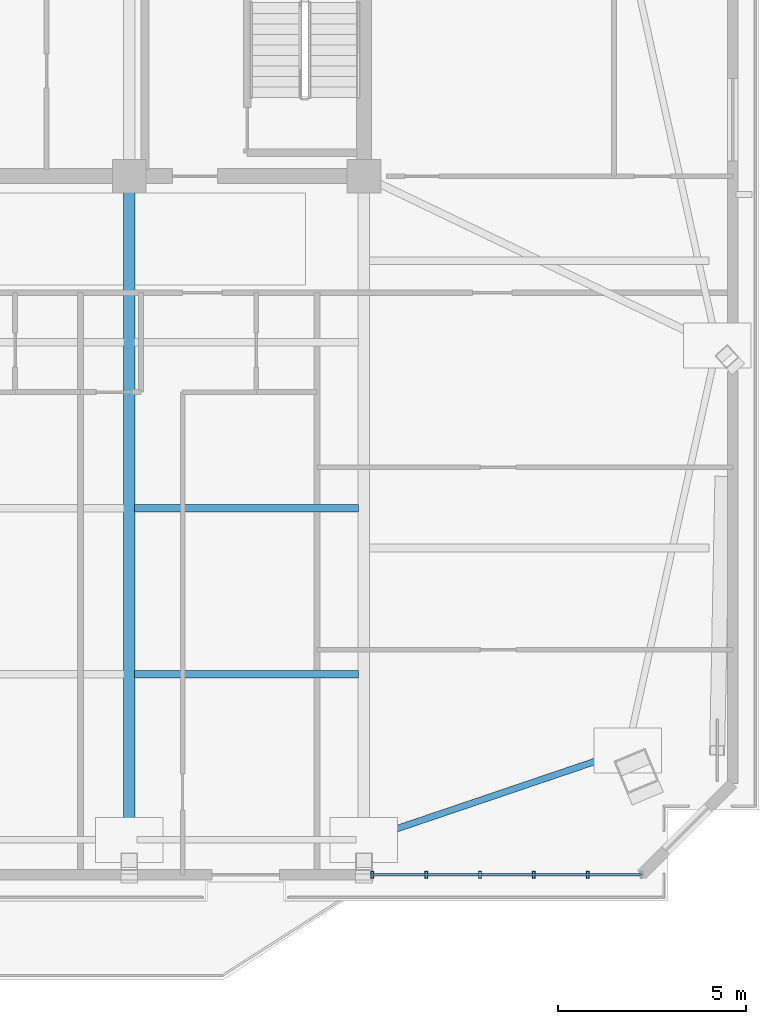
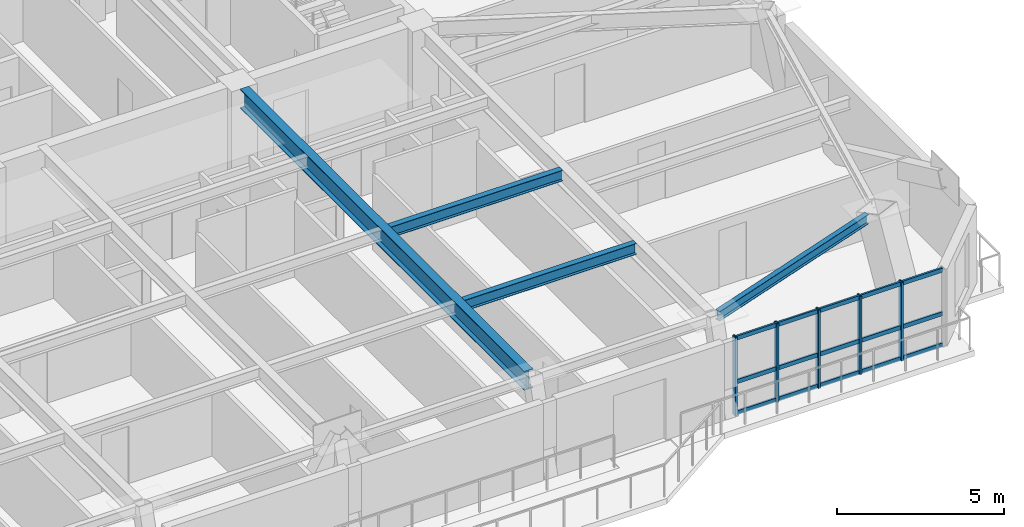
# One storey, part 4 of 15: 8 members, 4 beams, 1 element without a shape of its own.
"""IFC4 building model written with IfcOpenShell, lengths in metres."""

from ifc_helpers import new_model, si_unit, direction, frame, origin, origin_2d, place, context, subcontext, project, spatial, hollow_rectangle, i_section, extrude, source, transform, mapped, material, layer, layer_set, material_profile, profile_set, type_object, element, aggregate, save


model = new_model("IFC4")

# Units and contexts
model_context = context("Model", 3, precision=1e-05, world=origin(), true_north=direction((0.0, 1.0)))
body_context = subcontext(model_context, "Body", "Model", "MODEL_VIEW")
ifc_project = project(units=[si_unit("LENGTHUNIT", "METRE"), si_unit("AREAUNIT", "SQUARE_METRE"), si_unit("VOLUMEUNIT", "CUBIC_METRE"), si_unit("PLANEANGLEUNIT", "RADIAN"), si_unit("MASSUNIT", "GRAM", prefix="KILO")], contexts=[model_context])

# Site, building, storey
site_placement = place(None, origin())
site = spatial("IfcSite", under=ifc_project, at=site_placement, CompositionType="ELEMENT")
building_placement = place(site_placement, origin())
building = spatial("IfcBuilding", under=site, at=building_placement, Name="Giltprow Tower", CompositionType="ELEMENT")
storey_placement = place(building_placement, frame((0.0, 0.0, 300.60009765625)))
storey = spatial("IfcBuildingStorey", under=building, at=storey_placement, Name="L77", CompositionType="ELEMENT", Elevation=300.60009765625)

# Beams
ifc_material_1 = material(Name="Structural steel Q355B", Category="steel")
ifc_material_profile_1 = material_profile(ifc_material_1, i_section(OverallWidth=0.199951171875, OverallDepth=0.39990234375, WebThickness=0.008056640625, FlangeThickness=0.012939453125, at=origin_2d()), Name="HN 400x200x8x13")
ifc_profile_set_1 = profile_set([ifc_material_profile_1], Name="Structural steel Q355B")
beam_type_1 = type_object("IfcBeamType", Name="BM-JOIST-HN400", PredefinedType="JOIST", material=ifc_profile_set_1)
shared_shape_1 = source(origin(), body_context, "Body", "SweptSolid", [
    extrude(i_section(OverallWidth=0.199951171875, OverallDepth=0.39990234375, WebThickness=0.008056640625, FlangeThickness=0.012939453125, at=origin_2d()), origin(), (0.0, 0.0, 1.0), 5.9599609375),
])
for number, where, z_axis, x_axis, name in (
    (1, (44.445068359375, 24.19091796875, 2.98486328125), (1.0, 0.0, 0.0), (0.0, 1.0, 0.0), "L77 Composite Floor Joist 1-4"),
    (2, (44.445068359375, 28.611083984375, 2.98486328125), (1.0, 0.0, 0.0), (0.0, 1.0, 0.0), "L77 Composite Floor Joist 2-4"),
):
    element("IfcBeam", number, at=place(storey_placement, frame(where, z_axis=z_axis, x_axis=x_axis)), inside=storey, type_object=beam_type_1, Name=name, PredefinedType="JOIST", context=body_context, shape_type="MappedRepresentation", body=[
        mapped(shared_shape_1, transform((0.0, 0.0, 0.0), x_axis=(1.0, 0.0, 0.0), y_axis=(0.0, 1.0, 0.0), z_axis=(0.0, 0.0, 1.0), scale=1.0)),
    ])
ifc_material_profile_2 = material_profile(ifc_material_1, i_section(OverallWidth=0.175048828125, OverallDepth=0.35009765625, WebThickness=0.007080078125, FlangeThickness=0.010986328125, at=origin_2d()), Name="HN 350x175x7x11")
ifc_profile_set_2 = profile_set([ifc_material_profile_2], Name="Structural steel Q355B")
beam_type_2 = type_object("IfcBeamType", Name="BM-SPAN-HN350", PredefinedType="SPANDREL", material=ifc_profile_set_2)
shared_shape_2 = source(origin(), body_context, "Body", "SweptSolid", [
    extrude(i_section(OverallWidth=0.175048828125, OverallDepth=0.35009765625, WebThickness=0.007080078125, FlangeThickness=0.010986328125, at=origin_2d()), origin(), (0.0, 0.0, 1.0), 6.7734375),
])
beam_1_placement = place(storey_placement, frame((50.7490234375, 19.840087890625, 3.010009765625), z_axis=(0.946942660869, 0.321402546702, 0.0), x_axis=(-0.321402546702, 0.946942660869, 0.0)))
element("IfcBeam", 3, at=beam_1_placement, inside=storey, type_object=beam_type_2, Name="L77 Perimeter Spandrel Beam S4-MC_SE", PredefinedType="SPANDREL", context=body_context, shape_type="MappedRepresentation", body=[
    mapped(shared_shape_2, transform((0.0, 0.0, 0.0), x_axis=(1.0, 0.0, 0.0), y_axis=(0.0, 1.0, 0.0), z_axis=(0.0, 0.0, 1.0), scale=1.0)),
])
ifc_material_profile_3 = material_profile(ifc_material_1, i_section(OverallWidth=0.300048828125, OverallDepth=0.699951171875, WebThickness=0.012939453125, FlangeThickness=0.02392578125, at=origin_2d()), Name="HN 700x300x13x24")
ifc_profile_set_3 = profile_set([ifc_material_profile_3], Name="Structural steel Q355B")
beam_type_3 = type_object("IfcBeamType", Name="BM-GIRD-HN700", PredefinedType="BEAM", material=ifc_profile_set_3)
shared_shape_3 = source(origin(), body_context, "Body", "SweptSolid", [
    extrude(i_section(OverallWidth=0.300048828125, OverallDepth=0.699951171875, WebThickness=0.012939453125, FlangeThickness=0.02392578125, at=origin_2d()), origin(), (0.0, 0.0, 1.0), 17.032958984375),
])
beam_2_placement = place(storey_placement, frame((44.300048828125, 19.98193359375, 2.8349609375), z_axis=(0.0, 1.0, 0.0), x_axis=(-1.0, 0.0, 0.0)))
element("IfcBeam", 4, at=beam_2_placement, inside=storey, type_object=beam_type_3, Name="L77 Primary Lease Girder S3", PredefinedType="BEAM", context=body_context, shape_type="MappedRepresentation", body=[
    mapped(shared_shape_3, transform((0.0, 0.0, 0.0), x_axis=(1.0, 0.0, 0.0), y_axis=(0.0, 1.0, 0.0), z_axis=(0.0, 0.0, 1.0), scale=1.0)),
])

# Curtain wall, members
ifc_material_2 = material(Name="Anodized bronze", Category="metal")
ifc_layer = layer(ifc_material_2, 0.179931640625, Name="Anodized bronze")
ifc_layer_set = layer_set([ifc_layer], Name="Anodized bronze")
curtain_wall_type = type_object("IfcCurtainWallType", Name="CW-RES-SKY", PredefinedType="NOTDEFINED", material=ifc_layer_set)
curtain_wall_placement = place(storey_placement, origin())
curtain_wall = element("IfcCurtainWall", 5, at=curtain_wall_placement, inside=storey, type_object=curtain_wall_type, Name="L77 South Recessed Curtain Wall 6", PredefinedType="NOTDEFINED")
ifc_material_profile_4 = material_profile(ifc_material_2, hollow_rectangle(XDim=0.074951171875, YDim=0.179931640625, WallThickness=0.008056640625, at=origin_2d()), Name="RHS 180x75x8")
ifc_profile_set_4 = profile_set([ifc_material_profile_4], Name="Anodized bronze")
member_type_1 = type_object("IfcMemberType", Name="CW-MULLION-180x75", PredefinedType="MULLION", material=ifc_profile_set_4)
shared_shape_4 = source(origin(), body_context, "Body", "SweptSolid", [
    extrude(hollow_rectangle(XDim=0.074951171875, YDim=0.179931640625, WallThickness=0.008056640625, at=origin_2d()), origin(), (0.0, 0.0, 1.0), 2.869873046875),
])
member_1_placement = place(storey_placement, frame((50.77490234375, 18.841064453125, -0.02001953125), z_axis=(0.0, 0.0, 1.0), x_axis=(1.0, 0.0, 0.0)))
member_1 = element("IfcMember", 6, at=member_1_placement, type_object=member_type_1, Name="L77 South Recessed Curtain Wall 6 Mullion 1", PredefinedType="MULLION", context=body_context, shape_type="MappedRepresentation", body=[
    mapped(shared_shape_4, transform((0.0, 0.0, 0.0), x_axis=(1.0, 0.0, 0.0), y_axis=(0.0, 1.0, 0.0), z_axis=(0.0, 0.0, 1.0), scale=1.0)),
])
member_2_placement = place(storey_placement, frame((52.208984375, 18.841064453125, -0.02001953125), z_axis=(0.0, 0.0, 1.0), x_axis=(1.0, 0.0, 0.0)))
member_2 = element("IfcMember", 7, at=member_2_placement, type_object=member_type_1, Name="L77 South Recessed Curtain Wall 6 Mullion 2", PredefinedType="MULLION", context=body_context, shape_type="MappedRepresentation", body=[
    mapped(shared_shape_4, transform((0.0, 0.0, 0.0), x_axis=(1.0, 0.0, 0.0), y_axis=(0.0, 1.0, 0.0), z_axis=(0.0, 0.0, 1.0), scale=1.0)),
])
member_3_placement = place(storey_placement, frame((53.64306640625, 18.841064453125, -0.02001953125), z_axis=(0.0, 0.0, 1.0), x_axis=(1.0, 0.0, 0.0)))
member_3 = element("IfcMember", 8, at=member_3_placement, type_object=member_type_1, Name="L77 South Recessed Curtain Wall 6 Mullion 3", PredefinedType="MULLION", context=body_context, shape_type="MappedRepresentation", body=[
    mapped(shared_shape_4, transform((0.0, 0.0, 0.0), x_axis=(1.0, 0.0, 0.0), y_axis=(0.0, 1.0, 0.0), z_axis=(0.0, 0.0, 1.0), scale=1.0)),
])
member_4_placement = place(storey_placement, frame((55.076904296875, 18.841064453125, -0.02001953125), z_axis=(0.0, 0.0, 1.0), x_axis=(1.0, 0.0, 0.0)))
member_4 = element("IfcMember", 9, at=member_4_placement, type_object=member_type_1, Name="L77 South Recessed Curtain Wall 6 Mullion 4", PredefinedType="MULLION", context=body_context, shape_type="MappedRepresentation", body=[
    mapped(shared_shape_4, transform((0.0, 0.0, 0.0), x_axis=(1.0, 0.0, 0.0), y_axis=(0.0, 1.0, 0.0), z_axis=(0.0, 0.0, 1.0), scale=1.0)),
])
member_5_placement = place(storey_placement, frame((56.510986328125, 18.841064453125, -0.02001953125), z_axis=(0.0, 0.0, 1.0), x_axis=(1.0, 0.0, 0.0)))
member_5 = element("IfcMember", 10, at=member_5_placement, type_object=member_type_1, Name="L77 South Recessed Curtain Wall 6 Mullion 5", PredefinedType="MULLION", context=body_context, shape_type="MappedRepresentation", body=[
    mapped(shared_shape_4, transform((0.0, 0.0, 0.0), x_axis=(1.0, 0.0, 0.0), y_axis=(0.0, 1.0, 0.0), z_axis=(0.0, 0.0, 1.0), scale=1.0)),
])
ifc_material_profile_5 = material_profile(ifc_material_2, hollow_rectangle(XDim=0.06494140625, YDim=0.14990234375, WallThickness=0.006103515625, at=origin_2d()), Name="RHS 150x65x6")
ifc_profile_set_5 = profile_set([ifc_material_profile_5], Name="Anodized bronze")
member_type_2 = type_object("IfcMemberType", Name="CW-TRANSOM-150x65", PredefinedType="USERDEFINED", material=ifc_profile_set_5)
shared_shape_5 = source(origin(), body_context, "Body", "SweptSolid", [
    extrude(hollow_rectangle(XDim=0.06494140625, YDim=0.14990234375, WallThickness=0.006103515625, at=origin_2d()), origin(), (0.0, 0.0, 1.0), 7.170166015625),
])
member_6_placement = place(storey_placement, frame((50.77490234375, 18.841064453125, 0.039794921875), z_axis=(1.0, 0.0, 0.0), x_axis=(0.0, 1.0, 0.0)))
member_6 = element("IfcMember", 11, at=member_6_placement, type_object=member_type_2, Name="L77 South Recessed Curtain Wall 6 Transom 1", ObjectType="TRANSOM", PredefinedType="USERDEFINED", context=body_context, shape_type="MappedRepresentation", body=[
    mapped(shared_shape_5, transform((0.0, 0.0, 0.0), x_axis=(1.0, 0.0, 0.0), y_axis=(0.0, 1.0, 0.0), z_axis=(0.0, 0.0, 1.0), scale=1.0)),
])
member_7_placement = place(storey_placement, frame((50.77490234375, 18.841064453125, 1.181884765625), z_axis=(1.0, 0.0, 0.0), x_axis=(0.0, 1.0, 0.0)))
member_7 = element("IfcMember", 12, at=member_7_placement, type_object=member_type_2, Name="L77 South Recessed Curtain Wall 6 Transom 2", ObjectType="TRANSOM", PredefinedType="USERDEFINED", context=body_context, shape_type="MappedRepresentation", body=[
    mapped(shared_shape_5, transform((0.0, 0.0, 0.0), x_axis=(1.0, 0.0, 0.0), y_axis=(0.0, 1.0, 0.0), z_axis=(0.0, 0.0, 1.0), scale=1.0)),
])
member_8_placement = place(storey_placement, frame((50.77490234375, 18.841064453125, 2.77490234375), z_axis=(1.0, 0.0, 0.0), x_axis=(0.0, 1.0, 0.0)))
member_8 = element("IfcMember", 13, at=member_8_placement, type_object=member_type_2, Name="L77 South Recessed Curtain Wall 6 Transom 3", ObjectType="TRANSOM", PredefinedType="USERDEFINED", context=body_context, shape_type="MappedRepresentation", body=[
    mapped(shared_shape_5, transform((0.0, 0.0, 0.0), x_axis=(1.0, 0.0, 0.0), y_axis=(0.0, 1.0, 0.0), z_axis=(0.0, 0.0, 1.0), scale=1.0)),
])
aggregate(curtain_wall, [member_1, member_2, member_3, member_4, member_5, member_6, member_7, member_8])

save(model, "model.ifc")
